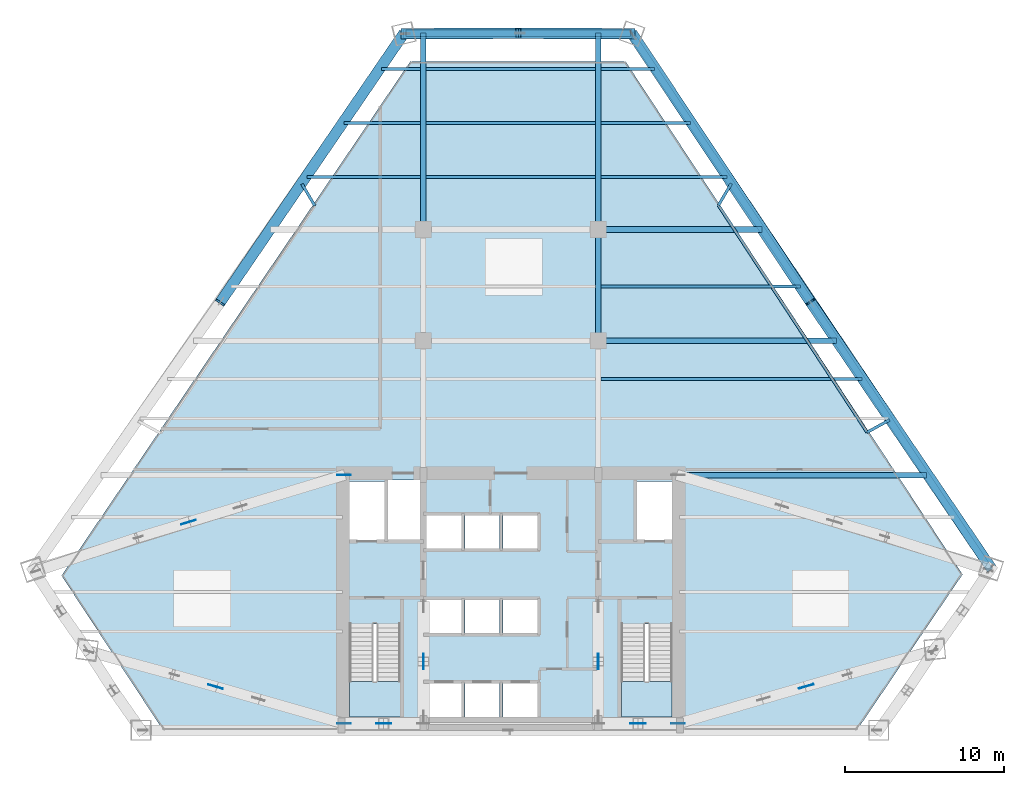
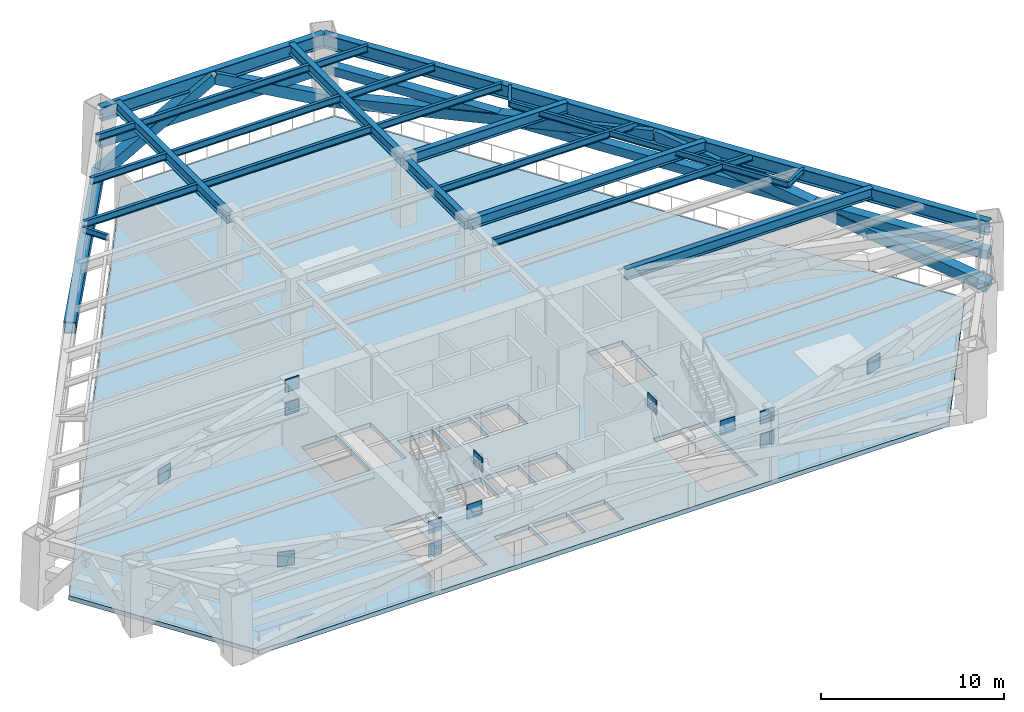
# One storey, part 3 of 10: 23 beams, 13 plates, 7 members, 3 slabs, 2 elements without a shape of their own.
"""IFC4 building model written with IfcOpenShell, lengths in metres."""

from ifc_helpers import new_model, si_unit, direction, frame, origin, origin_2d, place, context, subcontext, project, spatial, polyline, rectangle, hollow_rectangle, i_section, outline, extrude, source, transform, mapped, material, layer, layer_set, material_profile, profile_set, type_object, type_shapes, element, aggregate, save


model = new_model("IFC4")

# Units and contexts
model_context = context("Model", 3, precision=1e-05, world=origin(), true_north=direction((0.0, 1.0)))
body_context = subcontext(model_context, "Body", "Model", "MODEL_VIEW")
ifc_project = project(units=[si_unit("LENGTHUNIT", "METRE"), si_unit("AREAUNIT", "SQUARE_METRE"), si_unit("VOLUMEUNIT", "CUBIC_METRE"), si_unit("PLANEANGLEUNIT", "RADIAN"), si_unit("MASSUNIT", "GRAM", prefix="KILO")], contexts=[model_context])

# Site, building, storey
site_placement = place(None, origin())
site = spatial("IfcSite", under=ifc_project, at=site_placement, CompositionType="ELEMENT")
building_placement = place(site_placement, origin())
building = spatial("IfcBuilding", under=site, at=building_placement, Name="Varnakhor Terracotta Tower", CompositionType="ELEMENT")
storey_placement = place(building_placement, frame((0.0, 0.0, 71.89990234375)))
storey = spatial("IfcBuildingStorey", under=building, at=storey_placement, Name="L17", CompositionType="ELEMENT", Elevation=71.89990234375)

# Beams
ifc_material_1 = material(Name="Steel S355", Category="steel")
ifc_material_profile_1 = material_profile(ifc_material_1, i_section(OverallWidth=0.35498046875, OverallDepth=0.695068359375, WebThickness=0.014892578125, FlangeThickness=0.02490234375, FilletRadius=0.01806640625, at=origin_2d()), Name="W27X146")
ifc_profile_set_1 = profile_set([ifc_material_profile_1], Name="Steel S355")
beam_type_1 = type_object("IfcBeamType", Name="BM-W27X146", PredefinedType="BEAM", material=ifc_profile_set_1)
shared_shape_1 = source(origin(), body_context, "Body", "SweptSolid", [
    extrude(i_section(OverallWidth=0.35498046875, OverallDepth=0.695068359375, WebThickness=0.014892578125, FlangeThickness=0.02490234375, FilletRadius=0.01806640625, at=origin_2d()), origin(), (0.0, 0.0, 1.0), 7.0),
])
beam_1_placement = place(storey_placement, frame((5.5, 24.5, 4.1025390625), z_axis=(0.0, 1.0, 0.0), x_axis=(-1.0, 0.0, 0.0)))
element("IfcBeam", 1, at=beam_1_placement, inside=storey, type_object=beam_type_1, Name="L17 Primary Girder NS2-E", PredefinedType="BEAM", context=body_context, shape_type="MappedRepresentation", body=[
    mapped(shared_shape_1, transform((0.0, 0.0, 0.0), scale=1.0)),
])
ifc_material_profile_2 = material_profile(ifc_material_1, i_section(OverallWidth=0.19189453125, OverallDepth=0.462890625, WebThickness=0.010498046875, FlangeThickness=0.017578125, FilletRadius=0.01806640625, at=origin_2d()), Name="W18X60")
ifc_profile_set_2 = profile_set([ifc_material_profile_2], Name="Steel S355")
beam_type_2 = type_object("IfcBeamType", Name="JST-W18X60", PredefinedType="JOIST", material=ifc_profile_set_2)
shared_shape_2 = source(origin(), body_context, "Body", "SweptSolid", [
    extrude(i_section(OverallWidth=0.19189453125, OverallDepth=0.462890625, WebThickness=0.010498046875, FlangeThickness=0.017578125, FilletRadius=0.01806640625, at=origin_2d()), origin(), (0.0, 0.0, 1.0), 10.65283203125),
])
for number, where, z_axis, x_axis, name in (
    (2, (-5.326416015625, 34.800048828125, 4.218505859375), (1.0, 0.0, 0.0), (0.0, 1.0, 0.0), "L17 Composite Floor Joist 7-2"),
    (3, (-5.326416015625, 38.199951171875, 4.218505859375), (1.0, 0.0, 0.0), (0.0, 1.0, 0.0), "L17 Composite Floor Joist 8-2"),
    (4, (-5.326416015625, 41.60009765625, 4.218505859375), (1.0, 0.0, 0.0), (0.0, 1.0, 0.0), "L17 Composite Floor Joist 9-2"),
):
    element("IfcBeam", number, at=place(storey_placement, frame(where, z_axis=z_axis, x_axis=x_axis)), inside=storey, type_object=beam_type_2, Name=name, PredefinedType="JOIST", context=body_context, shape_type="MappedRepresentation", body=[
        mapped(shared_shape_2, transform((0.0, 0.0, 0.0), scale=1.0)),
    ])
ifc_material_profile_3 = material_profile(ifc_material_1, i_section(OverallWidth=0.41796875, OverallDepth=0.927001953125, WebThickness=0.01904296875, FlangeThickness=0.031982421875, FilletRadius=0.01806640625, at=origin_2d()), Name="W36X231")
ifc_profile_set_3 = profile_set([ifc_material_profile_3], Name="Steel S355")
beam_type_3 = type_object("IfcBeamType", Name="BM-W36X231", PredefinedType="BEAM", material=ifc_profile_set_3)
shared_shape_3 = source(origin(), body_context, "Body", "SweptSolid", [
    extrude(i_section(OverallWidth=0.41796875, OverallDepth=0.927001953125, WebThickness=0.01904296875, FlangeThickness=0.031982421875, FilletRadius=0.01806640625, at=origin_2d()), origin(), (0.0, 0.0, 1.0), 40.6591796875),
])
beam_2_placement = place(storey_placement, frame((30.15087890625, 10.057373046875, 3.986572265625), z_axis=(-0.556327290264, 0.830963263994, 0.0), x_axis=(-0.830963263994, -0.556327290264, 0.0)))
element("IfcBeam", 5, at=beam_2_placement, inside=storey, type_object=beam_type_3, Name="L17 Perimeter Spandrel 4", PredefinedType="BEAM", context=body_context, shape_type="MappedRepresentation", body=[
    mapped(shared_shape_3, transform((0.0, 0.0, 0.0), scale=1.0)),
])
shared_shape_4 = source(origin(), body_context, "Body", "SweptSolid", [
    extrude(i_section(OverallWidth=0.41796875, OverallDepth=0.927001953125, WebThickness=0.01904296875, FlangeThickness=0.031982421875, FilletRadius=0.01806640625, at=origin_2d()), origin(), (0.0, 0.0, 1.0), 14.111083984375),
])
beam_3_placement = place(storey_placement, frame((7.531005859375, 43.84375, 3.986572265625), z_axis=(-1.0, 0.0, 0.0), x_axis=(0.0, -1.0, 0.0)))
element("IfcBeam", 6, at=beam_3_placement, inside=storey, type_object=beam_type_3, Name="L17 Perimeter Spandrel 5", PredefinedType="BEAM", context=body_context, shape_type="MappedRepresentation", body=[
    mapped(shared_shape_4, transform((0.0, 0.0, 0.0), scale=1.0)),
])
ifc_material_profile_4 = material_profile(ifc_material_1, i_section(OverallWidth=0.179931640625, OverallDepth=0.39990234375, WebThickness=0.008544921875, FlangeThickness=0.013427734375, FilletRadius=0.01806640625, at=origin_2d()), Name="IPE400")
ifc_profile_set_4 = profile_set([ifc_material_profile_4], Name="Steel S355")
beam_type_4 = type_object("IfcBeamType", Name="JST-IPE400", PredefinedType="JOIST", material=ifc_profile_set_4)
shared_shape_5 = source(origin(), body_context, "Body", "SweptSolid", [
    extrude(i_section(OverallWidth=0.179931640625, OverallDepth=0.39990234375, WebThickness=0.008544921875, FlangeThickness=0.013427734375, FilletRadius=0.01806640625, at=origin_2d()), origin(), (0.0, 0.0, 1.0), 17.065673828125),
])
beam_4_placement = place(storey_placement, frame((22.409423828125, 18.743408203125, 4.25), z_axis=(-0.547860918782, 0.836569431471, 0.0), x_axis=(-0.836569431471, -0.547860918782, 0.0)))
element("IfcBeam", 7, at=beam_4_placement, inside=storey, type_object=beam_type_4, Name="L17 Loggia Edge Beam 1", PredefinedType="JOIST", context=body_context, shape_type="MappedRepresentation", body=[
    mapped(shared_shape_5, transform((0.0, 0.0, 0.0), scale=1.0)),
])
shared_shape_6 = source(origin(), body_context, "Body", "SweptSolid", [
    extrude(i_section(OverallWidth=0.35498046875, OverallDepth=0.695068359375, WebThickness=0.014892578125, FlangeThickness=0.02490234375, FilletRadius=0.01806640625, at=origin_2d()), origin(), (0.0, 0.0, 1.0), 12.34375),
])
for number, where, z_axis, x_axis, name in (
    (8, (-5.5, 31.5, 4.1025390625), (0.0, 1.0, 0.0), (-1.0, 0.0, 0.0), "L17 Primary Girder NS3-W"),
    (9, (5.5, 31.5, 4.1025390625), (0.0, 1.0, 0.0), (-1.0, 0.0, 0.0), "L17 Primary Girder NS3-E"),
):
    element("IfcBeam", number, at=place(storey_placement, frame(where, z_axis=z_axis, x_axis=x_axis)), inside=storey, type_object=beam_type_1, Name=name, PredefinedType="BEAM", context=body_context, shape_type="MappedRepresentation", body=[
        mapped(shared_shape_6, transform((0.0, 0.0, 0.0), scale=1.0)),
    ])
shared_shape_7 = source(origin(), body_context, "Body", "SweptSolid", [
    extrude(i_section(OverallWidth=0.35498046875, OverallDepth=0.695068359375, WebThickness=0.014892578125, FlangeThickness=0.02490234375, FilletRadius=0.01806640625, at=origin_2d()), origin(), (0.0, 0.0, 1.0), 15.5888671875),
])
beam_5_placement = place(storey_placement, frame((10.550048828125, 16.050048828125, 4.1025390625), z_axis=(1.0, 0.0, 0.0), x_axis=(0.0, 1.0, 0.0)))
element("IfcBeam", 10, at=beam_5_placement, inside=storey, type_object=beam_type_1, Name="L17 Wing Girder E", PredefinedType="BEAM", context=body_context, shape_type="MappedRepresentation", body=[
    mapped(shared_shape_7, transform((0.0, 0.0, 0.0), scale=1.0)),
])
shared_shape_8 = source(origin(), body_context, "Body", "SweptSolid", [
    extrude(i_section(OverallWidth=0.35498046875, OverallDepth=0.695068359375, WebThickness=0.014892578125, FlangeThickness=0.02490234375, FilletRadius=0.01806640625, at=origin_2d()), origin(), (0.0, 0.0, 1.0), 14.981689453125),
])
beam_6_placement = place(storey_placement, frame((5.5, 24.5, 4.1025390625), z_axis=(1.0, 0.0, 0.0), x_axis=(0.0, 1.0, 0.0)))
element("IfcBeam", 11, at=beam_6_placement, inside=storey, type_object=beam_type_1, Name="L17 Primary Girder EW2-3", PredefinedType="BEAM", context=body_context, shape_type="MappedRepresentation", body=[
    mapped(shared_shape_8, transform((0.0, 0.0, 0.0), scale=1.0)),
])
shared_shape_9 = source(origin(), body_context, "Body", "SweptSolid", [
    extrude(i_section(OverallWidth=0.35498046875, OverallDepth=0.695068359375, WebThickness=0.014892578125, FlangeThickness=0.02490234375, FilletRadius=0.01806640625, at=origin_2d()), origin(), (0.0, 0.0, 1.0), 10.295166015625),
])
beam_7_placement = place(storey_placement, frame((5.5, 31.5, 4.1025390625), z_axis=(1.0, 0.0, 0.0), x_axis=(0.0, 1.0, 0.0)))
element("IfcBeam", 12, at=beam_7_placement, inside=storey, type_object=beam_type_1, Name="L17 Primary Girder EW3-3", PredefinedType="BEAM", context=body_context, shape_type="MappedRepresentation", body=[
    mapped(shared_shape_9, transform((0.0, 0.0, 0.0), scale=1.0)),
])
shared_shape_10 = source(origin(), body_context, "Body", "SweptSolid", [
    extrude(i_section(OverallWidth=0.19189453125, OverallDepth=0.462890625, WebThickness=0.010498046875, FlangeThickness=0.017578125, FilletRadius=0.01806640625, at=origin_2d()), origin(), (0.0, 0.0, 1.0), 16.414794921875),
])
beam_8_placement = place(storey_placement, frame((5.673583984375, 22.10009765625, 4.218505859375), z_axis=(1.0, 0.0, 0.0), x_axis=(0.0, 1.0, 0.0)))
element("IfcBeam", 13, at=beam_8_placement, inside=storey, type_object=beam_type_2, Name="L17 Composite Floor Joist 5-3", PredefinedType="JOIST", context=body_context, shape_type="MappedRepresentation", body=[
    mapped(shared_shape_10, transform((0.0, 0.0, 0.0), scale=1.0)),
])
shared_shape_11 = source(origin(), body_context, "Body", "SweptSolid", [
    extrude(i_section(OverallWidth=0.19189453125, OverallDepth=0.462890625, WebThickness=0.010498046875, FlangeThickness=0.017578125, FilletRadius=0.01806640625, at=origin_2d()), origin(), (0.0, 0.0, 1.0), 12.53173828125),
])
beam_9_placement = place(storey_placement, frame((5.673583984375, 27.89990234375, 4.218505859375), z_axis=(1.0, 0.0, 0.0), x_axis=(0.0, 1.0, 0.0)))
element("IfcBeam", 14, at=beam_9_placement, inside=storey, type_object=beam_type_2, Name="L17 Composite Floor Joist 6-3", PredefinedType="JOIST", context=body_context, shape_type="MappedRepresentation", body=[
    mapped(shared_shape_11, transform((0.0, 0.0, 0.0), scale=1.0)),
])
shared_shape_12 = source(origin(), body_context, "Body", "SweptSolid", [
    extrude(i_section(OverallWidth=0.19189453125, OverallDepth=0.462890625, WebThickness=0.010498046875, FlangeThickness=0.017578125, FilletRadius=0.01806640625, at=origin_2d()), origin(), (0.0, 0.0, 1.0), 7.157470703125),
])
beam_10_placement = place(storey_placement, frame((-12.8310546875, 34.800048828125, 4.218505859375), z_axis=(1.0, 0.0, 0.0), x_axis=(0.0, 1.0, 0.0)))
element("IfcBeam", 15, at=beam_10_placement, inside=storey, type_object=beam_type_2, Name="L17 Composite Floor Joist 7-1", PredefinedType="JOIST", context=body_context, shape_type="MappedRepresentation", body=[
    mapped(shared_shape_12, transform((0.0, 0.0, 0.0), scale=1.0)),
])
shared_shape_13 = source(origin(), body_context, "Body", "SweptSolid", [
    extrude(i_section(OverallWidth=0.19189453125, OverallDepth=0.462890625, WebThickness=0.010498046875, FlangeThickness=0.017578125, FilletRadius=0.01806640625, at=origin_2d()), origin(), (0.0, 0.0, 1.0), 7.912109375),
])
beam_11_placement = place(storey_placement, frame((5.673583984375, 34.800048828125, 4.218505859375), z_axis=(1.0, 0.0, 0.0), x_axis=(0.0, 1.0, 0.0)))
element("IfcBeam", 16, at=beam_11_placement, inside=storey, type_object=beam_type_2, Name="L17 Composite Floor Joist 7-3", PredefinedType="JOIST", context=body_context, shape_type="MappedRepresentation", body=[
    mapped(shared_shape_13, transform((0.0, 0.0, 0.0), scale=1.0)),
])
shared_shape_14 = source(origin(), body_context, "Body", "SweptSolid", [
    extrude(i_section(OverallWidth=0.19189453125, OverallDepth=0.462890625, WebThickness=0.010498046875, FlangeThickness=0.017578125, FilletRadius=0.01806640625, at=origin_2d()), origin(), (0.0, 0.0, 1.0), 4.8076171875),
])
beam_12_placement = place(storey_placement, frame((-10.481201171875, 38.199951171875, 4.218505859375), z_axis=(1.0, 0.0, 0.0), x_axis=(0.0, 1.0, 0.0)))
element("IfcBeam", 17, at=beam_12_placement, inside=storey, type_object=beam_type_2, Name="L17 Composite Floor Joist 8-1", PredefinedType="JOIST", context=body_context, shape_type="MappedRepresentation", body=[
    mapped(shared_shape_14, transform((0.0, 0.0, 0.0), scale=1.0)),
])
shared_shape_15 = source(origin(), body_context, "Body", "SweptSolid", [
    extrude(i_section(OverallWidth=0.19189453125, OverallDepth=0.462890625, WebThickness=0.010498046875, FlangeThickness=0.017578125, FilletRadius=0.01806640625, at=origin_2d()), origin(), (0.0, 0.0, 1.0), 5.6357421875),
])
beam_13_placement = place(storey_placement, frame((5.673583984375, 38.199951171875, 4.218505859375), z_axis=(1.0, 0.0, 0.0), x_axis=(0.0, 1.0, 0.0)))
element("IfcBeam", 18, at=beam_13_placement, inside=storey, type_object=beam_type_2, Name="L17 Composite Floor Joist 8-3", PredefinedType="JOIST", context=body_context, shape_type="MappedRepresentation", body=[
    mapped(shared_shape_15, transform((0.0, 0.0, 0.0), scale=1.0)),
])
shared_shape_16 = source(origin(), body_context, "Body", "SweptSolid", [
    extrude(i_section(OverallWidth=0.19189453125, OverallDepth=0.462890625, WebThickness=0.010498046875, FlangeThickness=0.017578125, FilletRadius=0.01806640625, at=origin_2d()), origin(), (0.0, 0.0, 1.0), 2.45751953125),
])
beam_14_placement = place(storey_placement, frame((-8.131103515625, 41.60009765625, 4.218505859375), z_axis=(1.0, 0.0, 0.0), x_axis=(0.0, 1.0, 0.0)))
element("IfcBeam", 19, at=beam_14_placement, inside=storey, type_object=beam_type_2, Name="L17 Composite Floor Joist 9-1", PredefinedType="JOIST", context=body_context, shape_type="MappedRepresentation", body=[
    mapped(shared_shape_16, transform((0.0, 0.0, 0.0), scale=1.0)),
])
shared_shape_17 = source(origin(), body_context, "Body", "SweptSolid", [
    extrude(i_section(OverallWidth=0.19189453125, OverallDepth=0.462890625, WebThickness=0.010498046875, FlangeThickness=0.017578125, FilletRadius=0.01806640625, at=origin_2d()), origin(), (0.0, 0.0, 1.0), 3.359619140625),
])
beam_15_placement = place(storey_placement, frame((5.673583984375, 41.60009765625, 4.218505859375), z_axis=(1.0, 0.0, 0.0), x_axis=(0.0, 1.0, 0.0)))
element("IfcBeam", 20, at=beam_15_placement, inside=storey, type_object=beam_type_2, Name="L17 Composite Floor Joist 9-3", PredefinedType="JOIST", context=body_context, shape_type="MappedRepresentation", body=[
    mapped(shared_shape_17, transform((0.0, 0.0, 0.0), scale=1.0)),
])

# Members
ifc_material_2 = material(Name="Steel S460", Category="steel")
ifc_material_profile_5 = material_profile(ifc_material_2, hollow_rectangle(XDim=0.679931640625, YDim=0.679931640625, WallThickness=0.048095703125, at=origin_2d()), Name="HSS680X680X48")
ifc_profile_set_5 = profile_set([ifc_material_profile_5], Name="Steel S460")
member_type_1 = type_object("IfcMemberType", Name="MBR-OUTRIGGER-680", PredefinedType="BRACE", material=ifc_profile_set_5)
shared_shape_18 = source(origin(), body_context, "Body", "SweptSolid", [
    extrude(hollow_rectangle(XDim=0.679931640625, YDim=0.679931640625, WallThickness=0.048095703125, at=origin_2d()), origin(), (0.0, 0.0, 1.0), 20.619873046875),
])
member_1_placement = place(storey_placement, frame((30.20068359375, 10.210205078125, 0.0), z_axis=(-0.550915794296, 0.811857835785, 0.193335568559), x_axis=(-0.827469967097, -0.56150997636, 0.0)))
element("IfcMember", 21, at=member_1_placement, inside=storey, type_object=member_type_1, Name="L17 Belt-Truss Diagonal NEA", PredefinedType="BRACE", context=body_context, shape_type="MappedRepresentation", body=[
    mapped(shared_shape_18, transform((0.0, 0.0, 0.0), scale=1.0)),
])
shared_shape_19 = source(origin(), body_context, "Body", "SweptSolid", [
    extrude(hollow_rectangle(XDim=0.679931640625, YDim=0.679931640625, WallThickness=0.048095703125, at=origin_2d()), origin(), (0.0, 0.0, 1.0), 20.627685546875),
])
member_2_placement = place(storey_placement, frame((7.637451171875, 43.8056640625, 0.0), z_axis=(0.54312472694, -0.817107474526, 0.193263825017), x_axis=(0.832808559301, 0.55356111095, 0.0)))
element("IfcMember", 22, at=member_2_placement, inside=storey, type_object=member_type_1, Name="L17 Belt-Truss Diagonal NEB", PredefinedType="BRACE", context=body_context, shape_type="MappedRepresentation", body=[
    mapped(shared_shape_19, transform((0.0, 0.0, 0.0), scale=1.0)),
])
ifc_material_profile_6 = material_profile(ifc_material_2, hollow_rectangle(XDim=0.580078125, YDim=0.580078125, WallThickness=0.0380859375, at=origin_2d()), Name="HSS580X580X38")
ifc_profile_set_6 = profile_set([ifc_material_profile_6], Name="Steel S460")
member_type_2 = type_object("IfcMemberType", Name="MBR-BELT-CHORD-580", PredefinedType="CHORD", material=ifc_profile_set_6)
shared_shape_20 = source(origin(), body_context, "Body", "SweptSolid", [
    extrude(hollow_rectangle(XDim=0.580078125, YDim=0.580078125, WallThickness=0.0380859375, at=origin_2d()), origin(), (0.0, 0.0, 1.0), 40.46923828125),
])
member_3_placement = place(storey_placement, frame((30.20068359375, 10.210205078125, 2.150146484375), z_axis=(-0.557541167276, 0.83014929187, 0.0), x_axis=(-0.83014929187, -0.557541167276, 0.0)))
element("IfcMember", 23, at=member_3_placement, inside=storey, type_object=member_type_2, Name="L17 Belt-Truss Bottom Chord NE", PredefinedType="CHORD", context=body_context, shape_type="MappedRepresentation", body=[
    mapped(shared_shape_20, transform((0.0, 0.0, 0.0), scale=1.0)),
])
shared_shape_21 = source(origin(), body_context, "Body", "SweptSolid", [
    extrude(hollow_rectangle(XDim=0.679931640625, YDim=0.679931640625, WallThickness=0.048095703125, at=origin_2d()), origin(), (0.0, 0.0, 1.0), 8.197021484375),
])
member_4_placement = place(storey_placement, frame((7.637451171875, 43.8056640625, 0.0), z_axis=(-0.873752768608, 0.004646353692, 0.486348137394), x_axis=(-0.005317623206, -0.999985861342, 0.0)))
element("IfcMember", 24, at=member_4_placement, inside=storey, type_object=member_type_1, Name="L17 Belt-Truss Diagonal N1A", PredefinedType="BRACE", context=body_context, shape_type="MappedRepresentation", body=[
    mapped(shared_shape_21, transform((0.0, 0.0, 0.0), scale=1.0)),
])
shared_shape_22 = source(origin(), body_context, "Body", "SweptSolid", [
    extrude(hollow_rectangle(XDim=0.679931640625, YDim=0.679931640625, WallThickness=0.048095703125, at=origin_2d()), origin(), (0.0, 0.0, 1.0), 8.246826171875),
])
member_5_placement = place(storey_placement, frame((-6.743896484375, 43.8056640625, 0.0), z_axis=(0.875386505799, 0.004618204089, 0.483401631829), x_axis=(-0.005275543765, 0.999986084222, 0.0)))
element("IfcMember", 25, at=member_5_placement, inside=storey, type_object=member_type_1, Name="L17 Belt-Truss Diagonal N1B", PredefinedType="BRACE", context=body_context, shape_type="MappedRepresentation", body=[
    mapped(shared_shape_22, transform((0.0, 0.0, 0.0), scale=1.0)),
])
shared_shape_23 = source(origin(), body_context, "Body", "SweptSolid", [
    extrude(hollow_rectangle(XDim=0.580078125, YDim=0.580078125, WallThickness=0.0380859375, at=origin_2d()), origin(), (0.0, 0.0, 1.0), 14.38134765625),
])
member_6_placement = place(storey_placement, frame((7.637451171875, 43.8056640625, 2.150146484375), z_axis=(-1.0, 0.0, 0.0), x_axis=(0.0, -1.0, 0.0)))
element("IfcMember", 26, at=member_6_placement, inside=storey, type_object=member_type_2, Name="L17 Belt-Truss Bottom Chord N1", PredefinedType="CHORD", context=body_context, shape_type="MappedRepresentation", body=[
    mapped(shared_shape_23, transform((0.0, 0.0, 0.0), scale=1.0)),
])
shared_shape_24 = source(origin(), body_context, "Body", "SweptSolid", [
    extrude(hollow_rectangle(XDim=0.679931640625, YDim=0.679931640625, WallThickness=0.048095703125, at=origin_2d()), origin(), (0.0, 0.0, 1.0), 20.851806640625),
])
member_7_placement = place(storey_placement, frame((-6.743896484375, 43.8056640625, 0.0), z_axis=(-0.55362831017, -0.810520744418, 0.191185295057), x_axis=(0.825752607282, -0.564032473859, 0.0)))
element("IfcMember", 27, at=member_7_placement, inside=storey, type_object=member_type_1, Name="L17 Belt-Truss Diagonal NWA", PredefinedType="BRACE", context=body_context, shape_type="MappedRepresentation", body=[
    mapped(shared_shape_24, transform((0.0, 0.0, 0.0), scale=1.0)),
])

# Beams
shared_shape_25 = source(origin(), body_context, "Body", "SweptSolid", [
    extrude(i_section(OverallWidth=0.179931640625, OverallDepth=0.39990234375, WebThickness=0.008544921875, FlangeThickness=0.013427734375, FilletRadius=0.01806640625, at=origin_2d()), origin(), (0.0, 0.0, 1.0), 1.583251953125),
])
beam_16_placement = place(storey_placement, frame((13.059814453125, 33.02001953125, 4.25), z_axis=(0.508246085017, 0.861211888599, 0.0), x_axis=(-0.861211888599, 0.508246085017, 0.0)))
element("IfcBeam", 28, at=beam_16_placement, inside=storey, type_object=beam_type_4, Name="L18 E Loggia Tie Beam 1", PredefinedType="JOIST", context=body_context, shape_type="MappedRepresentation", body=[
    mapped(shared_shape_25, transform((0.0, 0.0, 0.0), scale=1.0)),
])
shared_shape_26 = source(origin(), body_context, "Body", "SweptSolid", [
    extrude(i_section(OverallWidth=0.179931640625, OverallDepth=0.39990234375, WebThickness=0.008544921875, FlangeThickness=0.013427734375, FilletRadius=0.01806640625, at=origin_2d()), origin(), (0.0, 0.0, 1.0), 1.606689453125),
])
beam_17_placement = place(storey_placement, frame((22.409423828125, 18.743408203125, 4.25), z_axis=(0.876270440173, 0.481819588311, 0.0), x_axis=(-0.481819588311, 0.876270440173, 0.0)))
element("IfcBeam", 29, at=beam_17_placement, inside=storey, type_object=beam_type_4, Name="L18 E Loggia Tie Beam 2", PredefinedType="JOIST", context=body_context, shape_type="MappedRepresentation", body=[
    mapped(shared_shape_26, transform((0.0, 0.0, 0.0), scale=1.0)),
])
shared_shape_27 = source(origin(), body_context, "Body", "SweptSolid", [
    extrude(i_section(OverallWidth=0.179931640625, OverallDepth=0.39990234375, WebThickness=0.008544921875, FlangeThickness=0.013427734375, FilletRadius=0.01806640625, at=origin_2d()), origin(), (0.0, 0.0, 1.0), 1.5830078125),
])
beam_18_placement = place(storey_placement, frame((-12.330810546875, 32.995361328125, 4.25), z_axis=(-0.509087781703, 0.86071460457, 0.0), x_axis=(-0.86071460457, -0.509087781703, 0.0)))
element("IfcBeam", 30, at=beam_18_placement, inside=storey, type_object=beam_type_4, Name="L18 W Loggia Tie Beam 2", PredefinedType="JOIST", context=body_context, shape_type="MappedRepresentation", body=[
    mapped(shared_shape_27, transform((0.0, 0.0, 0.0), scale=1.0)),
])

# Stair, slab
ifc_material_3 = material(Name="Concrete C40/50", Category="concrete")
stair_type = type_object("IfcStairType", Name="STR-CORE-OFFICE-1500", PredefinedType="HALF_TURN_STAIR", material=ifc_material_3)
stair_1_placement = place(storey_placement, origin())
stair_1 = element("IfcStair", 31, at=stair_1_placement, inside=storey, type_object=stair_type, Name="L17 Core Exit Stair ST-1", PredefinedType="HALF_TURN_STAIR")
ifc_layer_1 = layer(ifc_material_3, 0.179931640625, Name="Concrete C40/50")
ifc_layer_set_1 = layer_set([ifc_layer_1], Name="Concrete C40/50")
slab_type_1 = type_object("IfcSlabType", Name="SLB-LANDING-180", PredefinedType="LANDING", material=ifc_layer_set_1)
slab_1_placement = place(storey_placement, frame((0.0, 0.0, 2.150146484375)))
slab_1 = element("IfcSlab", 32, at=slab_1_placement, type_object=slab_type_1, Name="ST-1 landing 1", PredefinedType="LANDING", context=body_context, shape_type="SweptSolid", body=[
    extrude(outline(polyline([(-10.14990234375, 3.070068359375), (-10.14990234375, 0.85009765625), (-6.949951171875, 0.85009765625), (-6.949951171875, 3.070068359375), (-10.14990234375, 3.070068359375)])), origin(), (0.0, 0.0, 1.0), 0.199951171875),
])
aggregate(stair_1, [slab_1])

stair_2_placement = place(storey_placement, origin())
stair_2 = element("IfcStair", 33, at=stair_2_placement, inside=storey, type_object=stair_type, Name="L17 Core Exit Stair ST-2", PredefinedType="HALF_TURN_STAIR")
slab_2_placement = place(storey_placement, frame((0.0, 0.0, 2.150146484375)))
slab_2 = element("IfcSlab", 34, at=slab_2_placement, type_object=slab_type_1, Name="ST-2 landing 1", PredefinedType="LANDING", context=body_context, shape_type="SweptSolid", body=[
    extrude(outline(polyline([(6.949951171875, 3.070068359375), (6.949951171875, 0.85009765625), (10.14990234375, 0.85009765625), (10.14990234375, 3.070068359375), (6.949951171875, 3.070068359375)])), origin(), (0.0, 0.0, 1.0), 0.199951171875),
])
aggregate(stair_2, [slab_2])

# Slab
ifc_layer_2 = layer(ifc_material_3, 0.300048828125, Name="Concrete C40/50")
ifc_layer_set_2 = layer_set([ifc_layer_2], Name="Concrete C40/50")
slab_type_2 = type_object("IfcSlabType", Name="SLB-PLANT-300", PredefinedType="FLOOR", material=ifc_layer_set_2)
slab_3_placement = place(storey_placement, frame((0.0, 0.0, -0.2998046875)))
element("IfcSlab", 35, at=slab_3_placement, inside=storey, type_object=slab_type_2, Name="L17 Structural Floor Slab", PredefinedType="FLOOR", context=body_context, shape_type="SweptSolid", body=[
    extrude(outline(polyline([(-28.260009765625, 9.7265625), (-6.31689453125, 42.07275390625), (7.210693359375, 42.07275390625), (28.4140625, 9.806396484375), (21.76171875, 0.0), (-21.8681640625, 0.0), (-28.260009765625, 9.7265625)]), holes=[polyline([(-3.10009765625, 0.85009765625), (-3.10009765625, 2.949951171875), (-5.300048828125, 2.949951171875), (-5.300048828125, 0.85009765625), (-3.10009765625, 0.85009765625)]), polyline([(-2.8798828125, 0.85009765625), (-0.719970703125, 0.85009765625), (-0.719970703125, 2.949951171875), (-2.8798828125, 2.949951171875), (-2.8798828125, 0.85009765625)]), polyline([(-10.14990234375, 0.85009765625), (-6.949951171875, 0.85009765625), (-6.949951171875, 6.695068359375), (-10.14990234375, 6.695068359375), (-10.14990234375, 0.85009765625)]), polyline([(-5.300048828125, 6.10009765625), (-3.10009765625, 6.10009765625), (-3.10009765625, 8.199951171875), (-5.300048828125, 8.199951171875), (-5.300048828125, 6.10009765625)]), polyline([(-5.300048828125, 11.419921875), (-3.10009765625, 11.419921875), (-3.10009765625, 13.52001953125), (-5.300048828125, 13.52001953125), (-5.300048828125, 11.419921875)]), polyline([(-10.14990234375, 11.8798828125), (-7.949951171875, 11.8798828125), (-7.949951171875, 15.64990234375), (-10.14990234375, 15.64990234375), (-10.14990234375, 11.8798828125)]), polyline([(-7.72998046875, 11.8798828125), (-5.699951171875, 11.8798828125), (-5.699951171875, 15.75), (-7.72998046875, 15.75), (-7.72998046875, 11.8798828125)]), polyline([(1.699951171875, 0.85009765625), (1.699951171875, 2.949951171875), (-0.5, 2.949951171875), (-0.5, 0.85009765625), (1.699951171875, 0.85009765625)]), polyline([(6.949951171875, 0.85009765625), (10.14990234375, 0.85009765625), (10.14990234375, 6.695068359375), (6.949951171875, 6.695068359375), (6.949951171875, 0.85009765625)]), polyline([(-2.8798828125, 6.10009765625), (-0.719970703125, 6.10009765625), (-0.719970703125, 8.199951171875), (-2.8798828125, 8.199951171875), (-2.8798828125, 6.10009765625)]), polyline([(-0.5, 6.10009765625), (1.699951171875, 6.10009765625), (1.699951171875, 8.199951171875), (-0.5, 8.199951171875), (-0.5, 6.10009765625)]), polyline([(-2.8798828125, 11.419921875), (-0.719970703125, 11.419921875), (-0.719970703125, 13.52001953125), (-2.8798828125, 13.52001953125), (-2.8798828125, 11.419921875)]), polyline([(-0.5, 11.419921875), (1.699951171875, 11.419921875), (1.699951171875, 13.52001953125), (-0.5, 13.52001953125), (-0.5, 11.419921875)]), polyline([(7.949951171875, 11.8798828125), (10.14990234375, 11.8798828125), (10.14990234375, 15.64990234375), (7.949951171875, 15.64990234375), (7.949951171875, 11.8798828125)])]), origin(), (0.0, 0.0, 1.0), 0.2998046875),
])

# Plates
ifc_layer_3 = layer(ifc_material_2, 0.050048828125, Name="Steel S460")
ifc_layer_set_3 = layer_set([ifc_layer_3], Name="Steel S460")
plate_type_1 = type_object("IfcPlateType", Name="PLT-GUSSET-50", PredefinedType="USERDEFINED", material=ifc_layer_set_3)
shared_shape_28 = source(origin(), body_context, "Body", "SweptSolid", [
    extrude(rectangle(XDim=0.949951171875, YDim=0.044921875, at=origin_2d()), origin(), (0.0, 0.0, 1.0), 0.949951171875),
])
for number, where, z_axis, x_axis, name in (
    (36, (-8.0, 0.419921875, 3.8251953125), (0.0, 0.0, 1.0), (1.0, 0.0, 0.0), "L17 Core Brace Apex Gusset CSW"),
    (37, (8.0, 0.419921875, 3.8251953125), (0.0, 0.0, 1.0), (1.0, 0.0, 0.0), "L17 Core Brace Apex Gusset CSE"),
    (38, (-5.5, 4.324951171875, 3.8251953125), (0.0, 0.0, 1.0), (0.0, 1.0, 0.0), "L17 Core Brace Apex Gusset CWW"),
    (39, (5.5, 4.324951171875, 3.8251953125), (0.0, 0.0, 1.0), (0.0, 1.0, 0.0), "L17 Core Brace Apex Gusset CWE"),
):
    element("IfcPlate", number, at=place(storey_placement, frame(where, z_axis=z_axis, x_axis=x_axis)), inside=storey, type_object=plate_type_1, Name=name, ObjectType="GUSSET PLATE", PredefinedType="USERDEFINED", context=body_context, shape_type="MappedRepresentation", body=[
        mapped(shared_shape_28, transform((0.0, 0.0, 0.0), scale=1.0)),
    ])
shared_shape_29 = source(origin(), body_context, "Body", "SweptSolid", [
    extrude(rectangle(XDim=0.85009765625, YDim=0.044921875, at=origin_2d()), origin(), (0.0, 0.0, 1.0), 0.85009765625),
])
for number, where, z_axis, x_axis, name in (
    (40, (-10.5, 0.419921875, 2.125), (0.0, 0.0, 1.0), (1.0, 0.0, 0.0), "L17 Outrigger Core Embed Plate OW1-BOT"),
    (41, (-10.5, 0.419921875, 3.675048828125), (0.0, 0.0, 1.0), (1.0, 0.0, 0.0), "L17 Outrigger Core Embed Plate OW1-TOP"),
    (42, (-10.5, 16.050048828125, 2.125), (0.0, 0.0, 1.0), (1.0, 0.0, 0.0), "L17 Outrigger Core Embed Plate OW2-BOT"),
    (43, (-10.5, 16.050048828125, 3.675048828125), (0.0, 0.0, 1.0), (1.0, 0.0, 0.0), "L17 Outrigger Core Embed Plate OW2-TOP"),
    (44, (10.5, 0.419921875, 2.125), (0.0, 0.0, 1.0), (1.0, 0.0, 0.0), "L17 Outrigger Core Embed Plate OE1-BOT"),
    (45, (10.5, 0.419921875, 3.675048828125), (0.0, 0.0, 1.0), (1.0, 0.0, 0.0), "L17 Outrigger Core Embed Plate OE1-TOP"),
):
    element("IfcPlate", number, at=place(storey_placement, frame(where, z_axis=z_axis, x_axis=x_axis)), inside=storey, type_object=plate_type_1, Name=name, ObjectType="GUSSET PLATE", PredefinedType="USERDEFINED", context=body_context, shape_type="MappedRepresentation", body=[
        mapped(shared_shape_29, transform((0.0, 0.0, 0.0), scale=1.0)),
    ])
ifc_layer_4 = layer(ifc_material_2, 0.044921875, Name="Steel S460")
ifc_layer_set_4 = layer_set([ifc_layer_4], Name="Steel S460")
plate_type_2 = type_object("IfcPlateType", Name="PLT-GUSSET-45", PredefinedType="USERDEFINED", material=ifc_layer_set_4)
shared_shape_30 = source(origin(), body_context, "Body", "SweptSolid", [
    extrude(rectangle(XDim=0.949951171875, YDim=0.044921875, at=origin_2d()), origin(), (0.0, 0.0, 1.0), 0.949951171875),
])
type_shapes(plate_type_2, [shared_shape_30])
for number, where, z_axis, x_axis, name in (
    (46, (-18.57470703125, 2.74169921875, 2.85009765625), (0.0, 0.0, 1.0), (-0.961059384957, 0.276341923324, 0.0), "L17 Outrigger X-Crossing Gusset Plate OW1"),
    (47, (-20.27490234375, 13.088623046875, 2.85009765625), (0.0, 0.0, 1.0), (-0.957046666345, -0.289933920813, 0.0), "L17 Outrigger X-Crossing Gusset Plate OW2"),
    (48, (18.583984375, 2.7626953125, 2.85009765625), (0.0, 0.0, 1.0), (0.960483366421, 0.278337390281, 0.0), "L17 Outrigger X-Crossing Gusset Plate OE1"),
):
    element("IfcPlate", number, at=place(storey_placement, frame(where, z_axis=z_axis, x_axis=x_axis)), inside=storey, type_object=plate_type_2, Name=name, ObjectType="GUSSET PLATE", PredefinedType="USERDEFINED", context=body_context, shape_type="MappedRepresentation", body=[
        mapped(shared_shape_30, transform((0.0, 0.0, 0.0), scale=1.0)),
    ])

save(model, "model.ifc")
